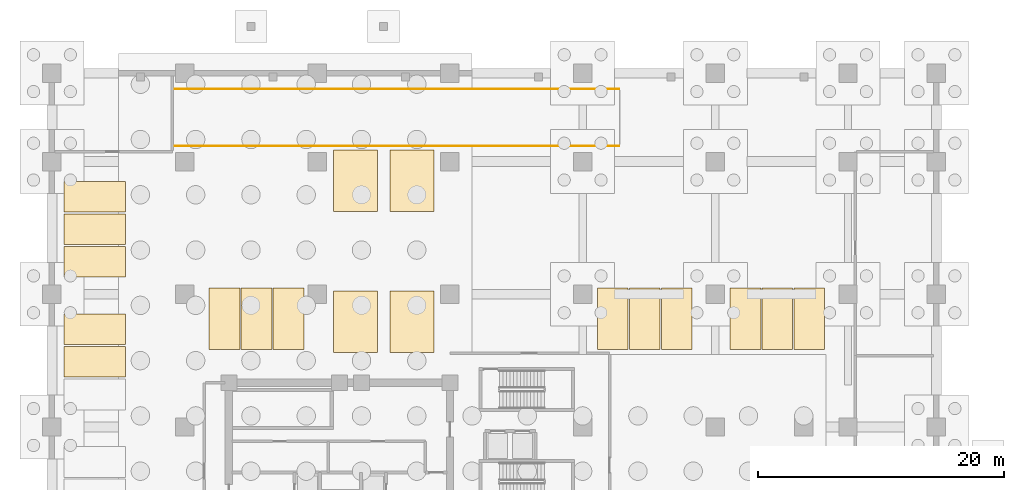
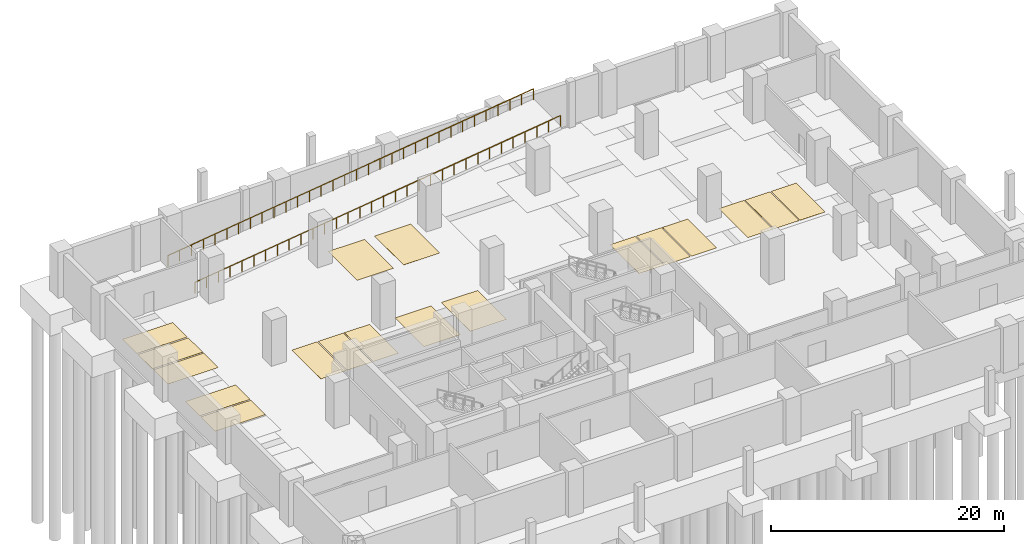
# One storey, part 8 of 9: 18 coverings, 2 railings.
"""IFC4 building model written with IfcOpenShell, lengths in metres."""

from ifc_helpers import new_model, si_unit, direction, frame, origin, origin_2d, place, context, subcontext, project, spatial, polyline, circle, outline, extrude, material, layer, layer_set, type_object, element, save


model = new_model("IFC4")

# Units and contexts
model_context = context("Model", 3, precision=1e-05, world=origin(), true_north=direction((0.0, 1.0)))
body_context = subcontext(model_context, "Body", "Model", "MODEL_VIEW")
ifc_project = project(units=[si_unit("LENGTHUNIT", "METRE"), si_unit("AREAUNIT", "SQUARE_METRE"), si_unit("VOLUMEUNIT", "CUBIC_METRE"), si_unit("PLANEANGLEUNIT", "RADIAN"), si_unit("MASSUNIT", "GRAM", prefix="KILO")], contexts=[model_context])

# Site, building, storey
site_placement = place(None, origin())
site = spatial("IfcSite", under=ifc_project, at=site_placement, CompositionType="ELEMENT")
building_placement = place(site_placement, origin())
building = spatial("IfcBuilding", under=site, at=building_placement, Name="Solnavia Interchange Tower", CompositionType="ELEMENT")
storey_placement = place(building_placement, frame((0.0, 0.0, -9.60009765625)))
storey = spatial("IfcBuildingStorey", under=building, at=storey_placement, Name="B02", CompositionType="ELEMENT", Elevation=-9.60009765625)

# Coverings
ifc_material_1 = material(Name="Epoxy Accessible Bay Marking", Category="polymer")
ifc_layer_1 = layer(ifc_material_1, 0.0048828125)
ifc_layer_set_1 = layer_set([ifc_layer_1], Name="Epoxy Accessible Bay Marking")
covering_type_1 = type_object("IfcCoveringType", Name="Covering-AccessibleBay-5", PredefinedType="FLOORING", material=ifc_layer_set_1)
covering_1_placement = place(storey_placement, origin())
element("IfcCovering", 1, at=covering_1_placement, inside=storey, type_object=covering_type_1, Name="PKA-B02-A01 Accessible parking bay", PredefinedType="FLOORING", context=body_context, shape_type="SweptSolid", body=[
    extrude(outline(polyline([(22.89990234375, 27.64990234375), (26.5, 27.64990234375), (26.5, 32.64990234375), (22.89990234375, 32.64990234375), (22.89990234375, 27.64990234375)])), origin(), (0.0, 0.0, 1.0), 0.005126953125),
])
covering_2_placement = place(storey_placement, origin())
element("IfcCovering", 2, at=covering_2_placement, inside=storey, type_object=covering_type_1, Name="PKA-B02-A02 Accessible parking bay", PredefinedType="FLOORING", context=body_context, shape_type="SweptSolid", body=[
    extrude(outline(polyline([(27.5, 27.64990234375), (31.10009765625, 27.64990234375), (31.10009765625, 32.64990234375), (27.5, 32.64990234375), (27.5, 27.64990234375)])), origin(), (0.0, 0.0, 1.0), 0.005126953125),
])
covering_3_placement = place(storey_placement, origin())
element("IfcCovering", 3, at=covering_3_placement, inside=storey, type_object=covering_type_1, Name="PKA-B02-A03 Accessible parking bay", PredefinedType="FLOORING", context=body_context, shape_type="SweptSolid", body=[
    extrude(outline(polyline([(22.89990234375, 39.14990234375), (26.5, 39.14990234375), (26.5, 44.14990234375), (22.89990234375, 44.14990234375), (22.89990234375, 39.14990234375)])), origin(), (0.0, 0.0, 1.0), 0.005126953125),
])
covering_4_placement = place(storey_placement, origin())
element("IfcCovering", 4, at=covering_4_placement, inside=storey, type_object=covering_type_1, Name="PKA-B02-A04 Accessible parking bay", PredefinedType="FLOORING", context=body_context, shape_type="SweptSolid", body=[
    extrude(outline(polyline([(27.5, 39.14990234375), (31.10009765625, 39.14990234375), (31.10009765625, 44.14990234375), (27.5, 44.14990234375), (27.5, 39.14990234375)])), origin(), (0.0, 0.0, 1.0), 0.005126953125),
])
ifc_material_2 = material(Name="Epoxy Car Park Bay Marking", Category="polymer")
ifc_layer_2 = layer(ifc_material_2, 0.0048828125)
ifc_layer_set_2 = layer_set([ifc_layer_2], Name="Epoxy Car Park Bay Marking")
covering_type_2 = type_object("IfcCoveringType", Name="Covering-ParkingBay-5", PredefinedType="FLOORING", material=ifc_layer_set_2)
covering_5_placement = place(storey_placement, origin())
element("IfcCovering", 5, at=covering_5_placement, inside=storey, type_object=covering_type_2, Name="PKB-B02-N01 Standard parking bay", PredefinedType="FLOORING", context=body_context, shape_type="SweptSolid", body=[
    extrude(outline(polyline([(12.800048828125, 27.89990234375), (15.300048828125, 27.89990234375), (15.300048828125, 32.89990234375), (12.800048828125, 32.89990234375), (12.800048828125, 27.89990234375)])), origin(), (0.0, 0.0, 1.0), 0.005126953125),
])
covering_6_placement = place(storey_placement, origin())
element("IfcCovering", 6, at=covering_6_placement, inside=storey, type_object=covering_type_2, Name="PKB-B02-N02 Standard parking bay", PredefinedType="FLOORING", context=body_context, shape_type="SweptSolid", body=[
    extrude(outline(polyline([(15.39990234375, 27.89990234375), (17.89990234375, 27.89990234375), (17.89990234375, 32.89990234375), (15.39990234375, 32.89990234375), (15.39990234375, 27.89990234375)])), origin(), (0.0, 0.0, 1.0), 0.005126953125),
])
covering_7_placement = place(storey_placement, origin())
element("IfcCovering", 7, at=covering_7_placement, inside=storey, type_object=covering_type_2, Name="PKB-B02-N03 Standard parking bay", PredefinedType="FLOORING", context=body_context, shape_type="SweptSolid", body=[
    extrude(outline(polyline([(18.0, 27.89990234375), (20.5, 27.89990234375), (20.5, 32.89990234375), (18.0, 32.89990234375), (18.0, 27.89990234375)])), origin(), (0.0, 0.0, 1.0), 0.005126953125),
])
covering_8_placement = place(storey_placement, origin())
element("IfcCovering", 8, at=covering_8_placement, inside=storey, type_object=covering_type_2, Name="PKB-B02-N04 Standard parking bay", PredefinedType="FLOORING", context=body_context, shape_type="SweptSolid", body=[
    extrude(outline(polyline([(44.39990234375, 27.89990234375), (46.89990234375, 27.89990234375), (46.89990234375, 32.89990234375), (44.39990234375, 32.89990234375), (44.39990234375, 27.89990234375)])), origin(), (0.0, 0.0, 1.0), 0.005126953125),
])
covering_9_placement = place(storey_placement, origin())
element("IfcCovering", 9, at=covering_9_placement, inside=storey, type_object=covering_type_2, Name="PKB-B02-N05 Standard parking bay", PredefinedType="FLOORING", context=body_context, shape_type="SweptSolid", body=[
    extrude(outline(polyline([(47.0, 27.89990234375), (49.5, 27.89990234375), (49.5, 32.89990234375), (47.0, 32.89990234375), (47.0, 27.89990234375)])), origin(), (0.0, 0.0, 1.0), 0.005126953125),
])
covering_10_placement = place(storey_placement, origin())
element("IfcCovering", 10, at=covering_10_placement, inside=storey, type_object=covering_type_2, Name="PKB-B02-N06 Standard parking bay", PredefinedType="FLOORING", context=body_context, shape_type="SweptSolid", body=[
    extrude(outline(polyline([(49.60009765625, 27.89990234375), (52.10009765625, 27.89990234375), (52.10009765625, 32.89990234375), (49.60009765625, 32.89990234375), (49.60009765625, 27.89990234375)])), origin(), (0.0, 0.0, 1.0), 0.005126953125),
])
covering_11_placement = place(storey_placement, origin())
element("IfcCovering", 11, at=covering_11_placement, inside=storey, type_object=covering_type_2, Name="PKB-B02-N07 Standard parking bay", PredefinedType="FLOORING", context=body_context, shape_type="SweptSolid", body=[
    extrude(outline(polyline([(55.199951171875, 27.89990234375), (57.699951171875, 27.89990234375), (57.699951171875, 32.89990234375), (55.199951171875, 32.89990234375), (55.199951171875, 27.89990234375)])), origin(), (0.0, 0.0, 1.0), 0.005126953125),
])
covering_12_placement = place(storey_placement, origin())
element("IfcCovering", 12, at=covering_12_placement, inside=storey, type_object=covering_type_2, Name="PKB-B02-N08 Standard parking bay", PredefinedType="FLOORING", context=body_context, shape_type="SweptSolid", body=[
    extrude(outline(polyline([(57.800048828125, 27.89990234375), (60.300048828125, 27.89990234375), (60.300048828125, 32.89990234375), (57.800048828125, 32.89990234375), (57.800048828125, 27.89990234375)])), origin(), (0.0, 0.0, 1.0), 0.005126953125),
])
covering_13_placement = place(storey_placement, origin())
element("IfcCovering", 13, at=covering_13_placement, inside=storey, type_object=covering_type_2, Name="PKB-B02-N09 Standard parking bay", PredefinedType="FLOORING", context=body_context, shape_type="SweptSolid", body=[
    extrude(outline(polyline([(60.39990234375, 27.89990234375), (62.89990234375, 27.89990234375), (62.89990234375, 32.89990234375), (60.39990234375, 32.89990234375), (60.39990234375, 27.89990234375)])), origin(), (0.0, 0.0, 1.0), 0.005126953125),
])
covering_14_placement = place(storey_placement, origin())
element("IfcCovering", 14, at=covering_14_placement, inside=storey, type_object=covering_type_2, Name="PKB-B02-W05 Standard parking bay", PredefinedType="FLOORING", context=body_context, shape_type="SweptSolid", body=[
    extrude(outline(polyline([(1.0, 25.64990234375), (6.0, 25.64990234375), (6.0, 28.14990234375), (1.0, 28.14990234375), (1.0, 25.64990234375)])), origin(), (0.0, 0.0, 1.0), 0.005126953125),
])
covering_15_placement = place(storey_placement, origin())
element("IfcCovering", 15, at=covering_15_placement, inside=storey, type_object=covering_type_2, Name="PKB-B02-W06 Standard parking bay", PredefinedType="FLOORING", context=body_context, shape_type="SweptSolid", body=[
    extrude(outline(polyline([(1.0, 28.300048828125), (6.0, 28.300048828125), (6.0, 30.800048828125), (1.0, 30.800048828125), (1.0, 28.300048828125)])), origin(), (0.0, 0.0, 1.0), 0.005126953125),
])
covering_16_placement = place(storey_placement, origin())
element("IfcCovering", 16, at=covering_16_placement, inside=storey, type_object=covering_type_2, Name="PKB-B02-W07 Standard parking bay", PredefinedType="FLOORING", context=body_context, shape_type="SweptSolid", body=[
    extrude(outline(polyline([(1.0, 33.800048828125), (6.0, 33.800048828125), (6.0, 36.300048828125), (1.0, 36.300048828125), (1.0, 33.800048828125)])), origin(), (0.0, 0.0, 1.0), 0.005126953125),
])
covering_17_placement = place(storey_placement, origin())
element("IfcCovering", 17, at=covering_17_placement, inside=storey, type_object=covering_type_2, Name="PKB-B02-W08 Standard parking bay", PredefinedType="FLOORING", context=body_context, shape_type="SweptSolid", body=[
    extrude(outline(polyline([(1.0, 36.449951171875), (6.0, 36.449951171875), (6.0, 38.949951171875), (1.0, 38.949951171875), (1.0, 36.449951171875)])), origin(), (0.0, 0.0, 1.0), 0.005126953125),
])
covering_18_placement = place(storey_placement, origin())
element("IfcCovering", 18, at=covering_18_placement, inside=storey, type_object=covering_type_2, Name="PKB-B02-W09 Standard parking bay", PredefinedType="FLOORING", context=body_context, shape_type="SweptSolid", body=[
    extrude(outline(polyline([(1.0, 39.10009765625), (6.0, 39.10009765625), (6.0, 41.60009765625), (1.0, 41.60009765625), (1.0, 39.10009765625)])), origin(), (0.0, 0.0, 1.0), 0.005126953125),
])

# Railings
ifc_material_3 = material(Name="Laminated Safety Glass & Stainless Steel", Category="steel")
railing_type = type_object("IfcRailingType", Name="Railing-TerraceGuard-1150", PredefinedType="GUARDRAIL", material=ifc_material_3)
railing_1_placement = place(storey_placement, frame((9.85009765625, 44.47998046875, 0.0)))
element("IfcRailing", 19, at=railing_1_placement, inside=storey, type_object=railing_type, Name="GRD-B02-V1S Vehicle ramp south side guard", PredefinedType="GUARDRAIL", context=body_context, shape_type="SweptSolid", body=[
    extrude(circle(Radius=0.02392578125, at=origin_2d()), frame((0.0, 0.0, 1.1259765625), z_axis=(0.991370166274, 0.0, 0.131092308783), x_axis=(0.0, 1.0, 0.0)), (0.0, 0.0, 1.0), 36.61572265625),
    extrude(circle(Radius=0.02099609375, at=origin_2d()), origin(), (0.0, 0.0, 1.0), 1.101806640625),
    extrude(circle(Radius=0.02099609375, at=origin_2d()), frame((1.1708984375, 0.0, 0.15478515625)), (0.0, 0.0, 1.0), 1.101806640625),
    extrude(circle(Radius=0.02099609375, at=origin_2d()), frame((2.342041015625, 0.0, 0.3095703125)), (0.0, 0.0, 1.0), 1.101806640625),
    extrude(circle(Radius=0.02099609375, at=origin_2d()), frame((3.512939453125, 0.0, 0.464599609375)), (0.0, 0.0, 1.0), 1.101806640625),
    extrude(circle(Radius=0.02099609375, at=origin_2d()), frame((4.683837890625, 0.0, 0.619384765625)), (0.0, 0.0, 1.0), 1.101806640625),
    extrude(circle(Radius=0.02099609375, at=origin_2d()), frame((5.854736328125, 0.0, 0.774169921875)), (0.0, 0.0, 1.0), 1.101806640625),
    extrude(circle(Radius=0.02099609375, at=origin_2d()), frame((7.02587890625, 0.0, 0.928955078125)), (0.0, 0.0, 1.0), 1.101806640625),
    extrude(circle(Radius=0.02099609375, at=origin_2d()), frame((8.19677734375, 0.0, 1.083984375)), (0.0, 0.0, 1.0), 1.101806640625),
    extrude(circle(Radius=0.02099609375, at=origin_2d()), frame((9.36767578125, 0.0, 1.23876953125)), (0.0, 0.0, 1.0), 1.101806640625),
    extrude(circle(Radius=0.02099609375, at=origin_2d()), frame((10.53857421875, 0.0, 1.3935546875)), (0.0, 0.0, 1.0), 1.101806640625),
    extrude(circle(Radius=0.02099609375, at=origin_2d()), frame((11.709716796875, 0.0, 1.54833984375)), (0.0, 0.0, 1.0), 1.101806640625),
    extrude(circle(Radius=0.02099609375, at=origin_2d()), frame((12.880615234375, 0.0, 1.703125)), (0.0, 0.0, 1.0), 1.101806640625),
    extrude(circle(Radius=0.02099609375, at=origin_2d()), frame((14.051513671875, 0.0, 1.858154296875)), (0.0, 0.0, 1.0), 1.101806640625),
    extrude(circle(Radius=0.02099609375, at=origin_2d()), frame((15.222412109375, 0.0, 2.012939453125)), (0.0, 0.0, 1.0), 1.101806640625),
    extrude(circle(Radius=0.02099609375, at=origin_2d()), frame((16.3935546875, 0.0, 2.167724609375)), (0.0, 0.0, 1.0), 1.101806640625),
    extrude(circle(Radius=0.02099609375, at=origin_2d()), frame((17.564453125, 0.0, 2.322509765625)), (0.0, 0.0, 1.0), 1.101806640625),
    extrude(circle(Radius=0.02099609375, at=origin_2d()), frame((18.7353515625, 0.0, 2.4775390625)), (0.0, 0.0, 1.0), 1.101806640625),
    extrude(circle(Radius=0.02099609375, at=origin_2d()), frame((19.90625, 0.0, 2.63232421875)), (0.0, 0.0, 1.0), 1.101806640625),
    extrude(circle(Radius=0.02099609375, at=origin_2d()), frame((21.077392578125, 0.0, 2.787109375)), (0.0, 0.0, 1.0), 1.101806640625),
    extrude(circle(Radius=0.02099609375, at=origin_2d()), frame((22.248291015625, 0.0, 2.94189453125)), (0.0, 0.0, 1.0), 1.101806640625),
    extrude(circle(Radius=0.02099609375, at=origin_2d()), frame((23.419189453125, 0.0, 3.096923828125)), (0.0, 0.0, 1.0), 1.101806640625),
    extrude(circle(Radius=0.02099609375, at=origin_2d()), frame((24.590087890625, 0.0, 3.251708984375)), (0.0, 0.0, 1.0), 1.101806640625),
    extrude(circle(Radius=0.02099609375, at=origin_2d()), frame((25.76123046875, 0.0, 3.406494140625)), (0.0, 0.0, 1.0), 1.101806640625),
    extrude(circle(Radius=0.02099609375, at=origin_2d()), frame((26.93212890625, 0.0, 3.561279296875)), (0.0, 0.0, 1.0), 1.101806640625),
    extrude(circle(Radius=0.02099609375, at=origin_2d()), frame((28.10302734375, 0.0, 3.716064453125)), (0.0, 0.0, 1.0), 1.101806640625),
    extrude(circle(Radius=0.02099609375, at=origin_2d()), frame((29.27392578125, 0.0, 3.87109375)), (0.0, 0.0, 1.0), 1.101806640625),
    extrude(circle(Radius=0.02099609375, at=origin_2d()), frame((30.445068359375, 0.0, 4.02587890625)), (0.0, 0.0, 1.0), 1.101806640625),
    extrude(circle(Radius=0.02099609375, at=origin_2d()), frame((31.615966796875, 0.0, 4.1806640625)), (0.0, 0.0, 1.0), 1.101806640625),
    extrude(circle(Radius=0.02099609375, at=origin_2d()), frame((32.786865234375, 0.0, 4.33544921875)), (0.0, 0.0, 1.0), 1.101806640625),
    extrude(circle(Radius=0.02099609375, at=origin_2d()), frame((33.957763671875, 0.0, 4.490478515625)), (0.0, 0.0, 1.0), 1.101806640625),
    extrude(circle(Radius=0.02099609375, at=origin_2d()), frame((35.12890625, 0.0, 4.645263671875)), (0.0, 0.0, 1.0), 1.101806640625),
    extrude(circle(Radius=0.02099609375, at=origin_2d()), frame((36.2998046875, 0.0, 4.800048828125)), (0.0, 0.0, 1.0), 1.101806640625),
])
railing_2_placement = place(storey_placement, frame((9.85009765625, 49.1201171875, 0.0)))
element("IfcRailing", 20, at=railing_2_placement, inside=storey, type_object=railing_type, Name="GRD-B02-V1N Vehicle ramp north side guard", PredefinedType="GUARDRAIL", context=body_context, shape_type="SweptSolid", body=[
    extrude(circle(Radius=0.02392578125, at=origin_2d()), frame((0.0, 0.0, 1.1259765625), z_axis=(0.991370166274, 0.0, 0.131092308783), x_axis=(0.0, 1.0, 0.0)), (0.0, 0.0, 1.0), 36.61572265625),
    extrude(circle(Radius=0.02099609375, at=origin_2d()), origin(), (0.0, 0.0, 1.0), 1.101806640625),
    extrude(circle(Radius=0.02099609375, at=origin_2d()), frame((1.1708984375, 0.0, 0.15478515625)), (0.0, 0.0, 1.0), 1.101806640625),
    extrude(circle(Radius=0.02099609375, at=origin_2d()), frame((2.342041015625, 0.0, 0.3095703125)), (0.0, 0.0, 1.0), 1.101806640625),
    extrude(circle(Radius=0.02099609375, at=origin_2d()), frame((3.512939453125, 0.0, 0.464599609375)), (0.0, 0.0, 1.0), 1.101806640625),
    extrude(circle(Radius=0.02099609375, at=origin_2d()), frame((4.683837890625, 0.0, 0.619384765625)), (0.0, 0.0, 1.0), 1.101806640625),
    extrude(circle(Radius=0.02099609375, at=origin_2d()), frame((5.854736328125, 0.0, 0.774169921875)), (0.0, 0.0, 1.0), 1.101806640625),
    extrude(circle(Radius=0.02099609375, at=origin_2d()), frame((7.02587890625, 0.0, 0.928955078125)), (0.0, 0.0, 1.0), 1.101806640625),
    extrude(circle(Radius=0.02099609375, at=origin_2d()), frame((8.19677734375, 0.0, 1.083984375)), (0.0, 0.0, 1.0), 1.101806640625),
    extrude(circle(Radius=0.02099609375, at=origin_2d()), frame((9.36767578125, 0.0, 1.23876953125)), (0.0, 0.0, 1.0), 1.101806640625),
    extrude(circle(Radius=0.02099609375, at=origin_2d()), frame((10.53857421875, 0.0, 1.3935546875)), (0.0, 0.0, 1.0), 1.101806640625),
    extrude(circle(Radius=0.02099609375, at=origin_2d()), frame((11.709716796875, 0.0, 1.54833984375)), (0.0, 0.0, 1.0), 1.101806640625),
    extrude(circle(Radius=0.02099609375, at=origin_2d()), frame((12.880615234375, 0.0, 1.703125)), (0.0, 0.0, 1.0), 1.101806640625),
    extrude(circle(Radius=0.02099609375, at=origin_2d()), frame((14.051513671875, 0.0, 1.858154296875)), (0.0, 0.0, 1.0), 1.101806640625),
    extrude(circle(Radius=0.02099609375, at=origin_2d()), frame((15.222412109375, 0.0, 2.012939453125)), (0.0, 0.0, 1.0), 1.101806640625),
    extrude(circle(Radius=0.02099609375, at=origin_2d()), frame((16.3935546875, 0.0, 2.167724609375)), (0.0, 0.0, 1.0), 1.101806640625),
    extrude(circle(Radius=0.02099609375, at=origin_2d()), frame((17.564453125, 0.0, 2.322509765625)), (0.0, 0.0, 1.0), 1.101806640625),
    extrude(circle(Radius=0.02099609375, at=origin_2d()), frame((18.7353515625, 0.0, 2.4775390625)), (0.0, 0.0, 1.0), 1.101806640625),
    extrude(circle(Radius=0.02099609375, at=origin_2d()), frame((19.90625, 0.0, 2.63232421875)), (0.0, 0.0, 1.0), 1.101806640625),
    extrude(circle(Radius=0.02099609375, at=origin_2d()), frame((21.077392578125, 0.0, 2.787109375)), (0.0, 0.0, 1.0), 1.101806640625),
    extrude(circle(Radius=0.02099609375, at=origin_2d()), frame((22.248291015625, 0.0, 2.94189453125)), (0.0, 0.0, 1.0), 1.101806640625),
    extrude(circle(Radius=0.02099609375, at=origin_2d()), frame((23.419189453125, 0.0, 3.096923828125)), (0.0, 0.0, 1.0), 1.101806640625),
    extrude(circle(Radius=0.02099609375, at=origin_2d()), frame((24.590087890625, 0.0, 3.251708984375)), (0.0, 0.0, 1.0), 1.101806640625),
    extrude(circle(Radius=0.02099609375, at=origin_2d()), frame((25.76123046875, 0.0, 3.406494140625)), (0.0, 0.0, 1.0), 1.101806640625),
    extrude(circle(Radius=0.02099609375, at=origin_2d()), frame((26.93212890625, 0.0, 3.561279296875)), (0.0, 0.0, 1.0), 1.101806640625),
    extrude(circle(Radius=0.02099609375, at=origin_2d()), frame((28.10302734375, 0.0, 3.716064453125)), (0.0, 0.0, 1.0), 1.101806640625),
    extrude(circle(Radius=0.02099609375, at=origin_2d()), frame((29.27392578125, 0.0, 3.87109375)), (0.0, 0.0, 1.0), 1.101806640625),
    extrude(circle(Radius=0.02099609375, at=origin_2d()), frame((30.445068359375, 0.0, 4.02587890625)), (0.0, 0.0, 1.0), 1.101806640625),
    extrude(circle(Radius=0.02099609375, at=origin_2d()), frame((31.615966796875, 0.0, 4.1806640625)), (0.0, 0.0, 1.0), 1.101806640625),
    extrude(circle(Radius=0.02099609375, at=origin_2d()), frame((32.786865234375, 0.0, 4.33544921875)), (0.0, 0.0, 1.0), 1.101806640625),
    extrude(circle(Radius=0.02099609375, at=origin_2d()), frame((33.957763671875, 0.0, 4.490478515625)), (0.0, 0.0, 1.0), 1.101806640625),
    extrude(circle(Radius=0.02099609375, at=origin_2d()), frame((35.12890625, 0.0, 4.645263671875)), (0.0, 0.0, 1.0), 1.101806640625),
    extrude(circle(Radius=0.02099609375, at=origin_2d()), frame((36.2998046875, 0.0, 4.800048828125)), (0.0, 0.0, 1.0), 1.101806640625),
])

save(model, "model.ifc")
